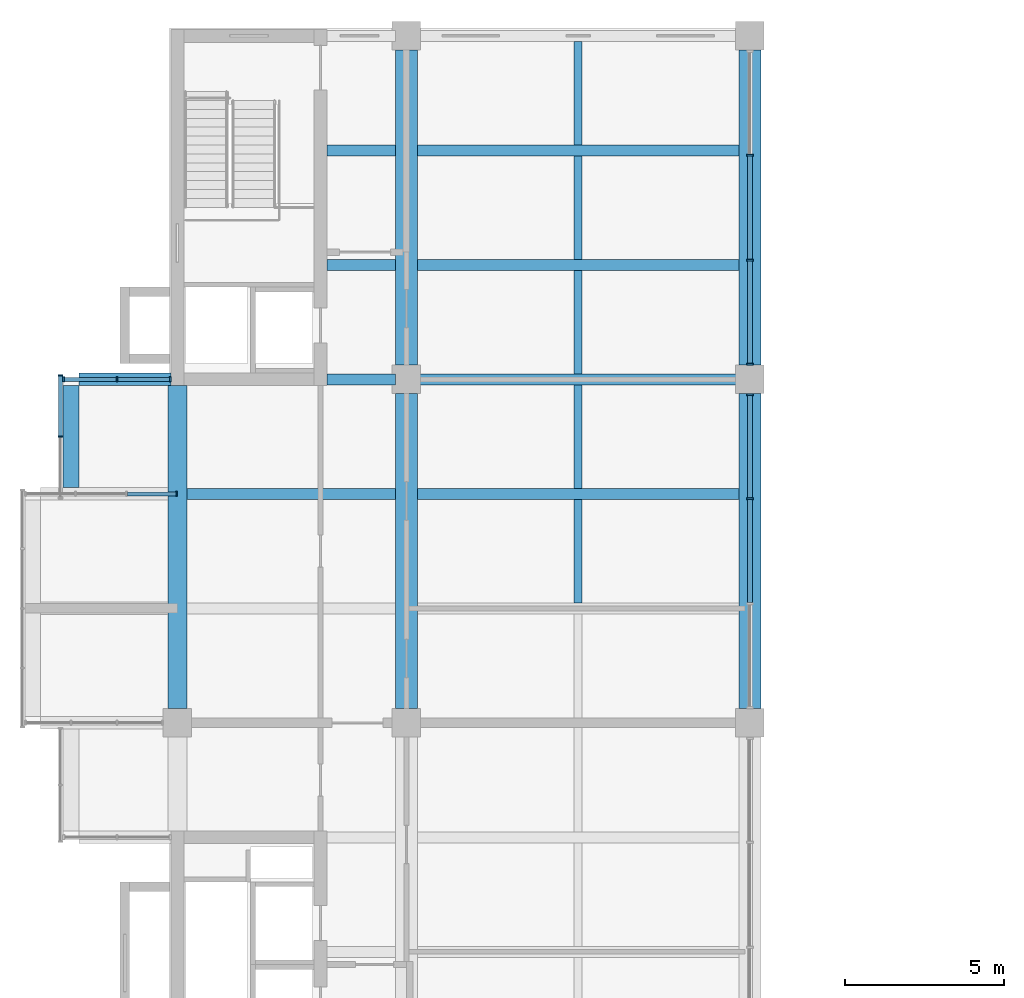
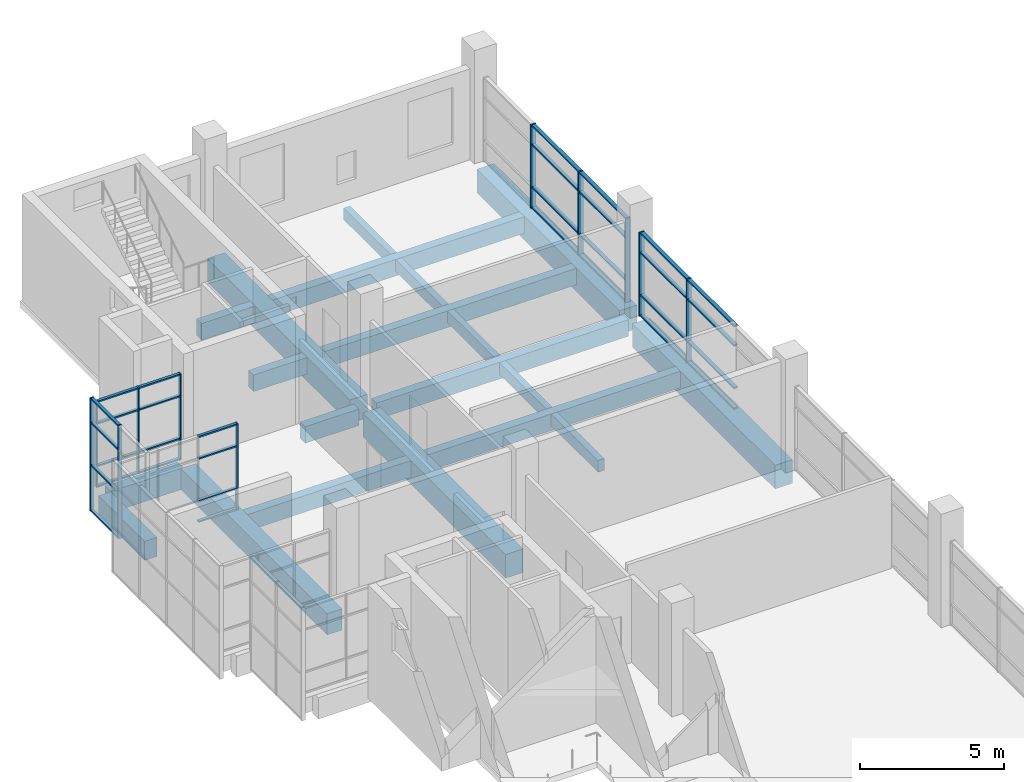
# One storey, part 8 of 22: 43 members, 20 beams, 5 elements without a shape of their own.
"""IFC4 building model written with IfcOpenShell, lengths in metres."""

from ifc_helpers import new_model, si_unit, direction, frame, origin, origin_2d, place, context, subcontext, project, spatial, rectangle, extrude, material, layer, layer_set, material_profile, profile_set, type_object, element, aggregate, save


model = new_model("IFC4")

# Units and contexts
model_context = context("Model", 3, precision=1e-05, world=origin(), true_north=direction((0.0, 1.0)))
body_context = subcontext(model_context, "Body", "Model", "MODEL_VIEW")
ifc_project = project(units=[si_unit("LENGTHUNIT", "METRE"), si_unit("AREAUNIT", "SQUARE_METRE"), si_unit("VOLUMEUNIT", "CUBIC_METRE"), si_unit("PLANEANGLEUNIT", "RADIAN"), si_unit("MASSUNIT", "GRAM", prefix="KILO")], contexts=[model_context])

# Site, building, storey
site_placement = place(None, origin())
site = spatial("IfcSite", under=ifc_project, at=site_placement, CompositionType="ELEMENT")
building_placement = place(site_placement, origin())
building = spatial("IfcBuilding", under=site, at=building_placement, Name="Basin Gate Institute", CompositionType="ELEMENT")
storey_placement = place(building_placement, frame((0.0, 0.0, 51.0)))
storey = spatial("IfcBuildingStorey", under=building, at=storey_placement, Name="L10", CompositionType="ELEMENT", Elevation=51.0)

# Beams
ifc_material_1 = material(Name="Concrete 40 MPa", Category="concrete")
ifc_material_profile_1 = material_profile(ifc_material_1, rectangle(XDim=0.35009765625, YDim=0.699951171875, at=origin_2d()), Name="Beam B1 350 x 700")
ifc_profile_set_1 = profile_set([ifc_material_profile_1], Name="Concrete 40 MPa")
beam_type_1 = type_object("IfcBeamType", Name="Beam B1 R120", PredefinedType="BEAM", material=ifc_profile_set_1)
beam_1_placement = place(storey_placement, frame((68.75, 85.5, -0.60009765625), z_axis=(1.0, 0.0, 0.0), x_axis=(0.0, 1.0, 0.0)))
element("IfcBeam", 1, at=beam_1_placement, inside=storey, type_object=beam_type_1, material=ifc_profile_set_1, Name="BEAM/L10/W/EW/15", PredefinedType="BEAM", context=body_context, shape_type="SweptSolid", body=[
    extrude(rectangle(XDim=0.35009765625, YDim=0.699951171875, at=origin_2d()), origin(), (0.0, 0.0, 1.0), 10.10009765625),
])
beam_2_placement = place(storey_placement, frame((61.5, 85.5, -0.60009765625), z_axis=(1.0, 0.0, 0.0), x_axis=(0.0, 1.0, 0.0)))
element("IfcBeam", 2, at=beam_2_placement, inside=storey, type_object=beam_type_1, material=ifc_profile_set_1, Name="BEAM/L10/W/OUT/15", PredefinedType="BEAM", context=body_context, shape_type="SweptSolid", body=[
    extrude(rectangle(XDim=0.35009765625, YDim=0.699951171875, at=origin_2d()), origin(), (0.0, 0.0, 1.0), 6.550048828125),
])
beam_3_placement = place(storey_placement, frame((68.75, 89.10009765625, -0.60009765625), z_axis=(1.0, 0.0, 0.0), x_axis=(0.0, 1.0, 0.0)))
element("IfcBeam", 3, at=beam_3_placement, inside=storey, type_object=beam_type_1, material=ifc_profile_set_1, Name="BEAM/L10/W/EW/16", PredefinedType="BEAM", context=body_context, shape_type="SweptSolid", body=[
    extrude(rectangle(XDim=0.35009765625, YDim=0.699951171875, at=origin_2d()), origin(), (0.0, 0.0, 1.0), 10.10009765625),
])
beam_4_placement = place(storey_placement, frame((65.89990234375, 89.10009765625, -0.60009765625), z_axis=(1.0, 0.0, 0.0), x_axis=(0.0, 1.0, 0.0)))
element("IfcBeam", 4, at=beam_4_placement, inside=storey, type_object=beam_type_1, material=ifc_profile_set_1, Name="BEAM/L10/W/CORR/16", PredefinedType="BEAM", context=body_context, shape_type="SweptSolid", body=[
    extrude(rectangle(XDim=0.35009765625, YDim=0.699951171875, at=origin_2d()), origin(), (0.0, 0.0, 1.0), 2.150146484375),
])
beam_5_placement = place(storey_placement, frame((68.75, 92.699951171875, -0.60009765625), z_axis=(1.0, 0.0, 0.0), x_axis=(0.0, 1.0, 0.0)))
element("IfcBeam", 5, at=beam_5_placement, inside=storey, type_object=beam_type_1, material=ifc_profile_set_1, Name="BEAM/L10/W/EW/17", PredefinedType="BEAM", context=body_context, shape_type="SweptSolid", body=[
    extrude(rectangle(XDim=0.35009765625, YDim=0.699951171875, at=origin_2d()), origin(), (0.0, 0.0, 1.0), 10.10009765625),
])
beam_6_placement = place(storey_placement, frame((65.89990234375, 92.699951171875, -0.60009765625), z_axis=(1.0, 0.0, 0.0), x_axis=(0.0, 1.0, 0.0)))
element("IfcBeam", 6, at=beam_6_placement, inside=storey, type_object=beam_type_1, material=ifc_profile_set_1, Name="BEAM/L10/W/CORR/17", PredefinedType="BEAM", context=body_context, shape_type="SweptSolid", body=[
    extrude(rectangle(XDim=0.35009765625, YDim=0.699951171875, at=origin_2d()), origin(), (0.0, 0.0, 1.0), 2.150146484375),
])
beam_7_placement = place(storey_placement, frame((68.75, 96.300048828125, -0.60009765625), z_axis=(1.0, 0.0, 0.0), x_axis=(0.0, 1.0, 0.0)))
element("IfcBeam", 7, at=beam_7_placement, inside=storey, type_object=beam_type_1, material=ifc_profile_set_1, Name="BEAM/L10/W/EW/18", PredefinedType="BEAM", context=body_context, shape_type="SweptSolid", body=[
    extrude(rectangle(XDim=0.35009765625, YDim=0.699951171875, at=origin_2d()), origin(), (0.0, 0.0, 1.0), 10.10009765625),
])
beam_8_placement = place(storey_placement, frame((65.89990234375, 96.300048828125, -0.60009765625), z_axis=(1.0, 0.0, 0.0), x_axis=(0.0, 1.0, 0.0)))
element("IfcBeam", 8, at=beam_8_placement, inside=storey, type_object=beam_type_1, material=ifc_profile_set_1, Name="BEAM/L10/W/CORR/18", PredefinedType="BEAM", context=body_context, shape_type="SweptSolid", body=[
    extrude(rectangle(XDim=0.35009765625, YDim=0.699951171875, at=origin_2d()), origin(), (0.0, 0.0, 1.0), 2.150146484375),
])
ifc_material_2 = material(Name="Concrete 50 MPa", Category="concrete")
ifc_material_profile_2 = material_profile(ifc_material_2, rectangle(XDim=0.39990234375, YDim=0.89990234375, at=origin_2d()), Name="Cantilever beam B3 400 x 900")
ifc_profile_set_2 = profile_set([ifc_material_profile_2], Name="Concrete 50 MPa")
beam_type_2 = type_object("IfcBeamType", Name="Cantilever beam B3 R120", PredefinedType="BEAM", material=ifc_profile_set_2)
beam_9_placement = place(storey_placement, frame((58.10009765625, 89.10009765625, -0.699951171875), z_axis=(1.0, 0.0, 0.0), x_axis=(0.0, 1.0, 0.0)))
element("IfcBeam", 9, at=beam_9_placement, inside=storey, type_object=beam_type_2, material=ifc_profile_set_2, Name="BEAM/L10/W/CANT/16", PredefinedType="BEAM", context=body_context, shape_type="SweptSolid", body=[
    extrude(rectangle(XDim=0.39990234375, YDim=0.89990234375, at=origin_2d()), origin(), (0.0, 0.0, 1.0), 2.89990234375),
])
ifc_material_3 = material(Name="Concrete 50 MPa", Category="concrete")
ifc_material_profile_3 = material_profile(ifc_material_3, rectangle(XDim=0.60009765625, YDim=0.89990234375, at=origin_2d()), Name="Edge beam EB1 600 x 900")
ifc_profile_set_3 = profile_set([ifc_material_profile_3], Name="Concrete 50 MPa")
beam_type_3 = type_object("IfcBeamType", Name="Edge beam EB1 R120", PredefinedType="SPANDREL", material=ifc_profile_set_3)
beam_10_placement = place(storey_placement, frame((61.199951171875, 78.75, -0.699951171875), z_axis=(0.0, 1.0, 0.0), x_axis=(-1.0, 0.0, 0.0)))
element("IfcBeam", 10, at=beam_10_placement, inside=storey, type_object=beam_type_3, material=ifc_profile_set_3, Name="BEAM/L10/W/EDGE/4", PredefinedType="SPANDREL", context=body_context, shape_type="SweptSolid", body=[
    extrude(rectangle(XDim=0.60009765625, YDim=0.89990234375, at=origin_2d()), origin(), (0.0, 0.0, 1.0), 10.14990234375),
])
ifc_material_4 = material(Name="Concrete 50 MPa", Category="concrete")
ifc_material_profile_4 = material_profile(ifc_material_4, rectangle(XDim=0.699951171875, YDim=1.0, at=origin_2d()), Name="Girder G1 700 x 1000")
ifc_profile_set_4 = profile_set([ifc_material_profile_4], Name="Concrete 50 MPa")
beam_type_4 = type_object("IfcBeamType", Name="Girder G1 R120", PredefinedType="BEAM", material=ifc_profile_set_4)
for number, where, z_axis, x_axis, name in (
    (11, (68.39990234375, 78.75, -0.75), (0.0, 1.0, 0.0), (-1.0, 0.0, 0.0), "GIR/L10/W5/5"),
    (12, (68.39990234375, 89.550048828125, -0.75), (0.0, 1.0, 0.0), (-1.0, 0.0, 0.0), "GIR/L10/W5/6"),
    (13, (79.199951171875, 78.75, -0.75), (0.0, 1.0, 0.0), (-1.0, 0.0, 0.0), "GIR/L10/W6/5"),
    (14, (79.199951171875, 89.550048828125, -0.75), (0.0, 1.0, 0.0), (-1.0, 0.0, 0.0), "GIR/L10/W6/6"),
):
    element("IfcBeam", number, at=place(storey_placement, frame(where, z_axis=z_axis, x_axis=x_axis)), inside=storey, type_object=beam_type_4, material=ifc_profile_set_4, Name=name, PredefinedType="BEAM", context=body_context, shape_type="SweptSolid", body=[
        extrude(rectangle(XDim=0.699951171875, YDim=1.0, at=origin_2d()), origin(), (0.0, 0.0, 1.0), 9.89990234375),
    ])

# Curtain wall, member
ifc_material_5 = material(Name="Aluminium-framed glazing", Category="aluminium")
ifc_layer_1 = layer(ifc_material_5, 0.14990234375)
ifc_layer_set_1 = layer_set([ifc_layer_1], Name="Capsule front curtain wall CW1")
curtain_wall_type_1 = type_object("IfcCurtainWallType", Name="Capsule front curtain wall CW1", PredefinedType="NOTDEFINED", material=ifc_layer_set_1)
curtain_wall_1_placement = place(storey_placement, origin())
curtain_wall_1 = element("IfcCurtainWall", 15, at=curtain_wall_1_placement, inside=storey, type_object=curtain_wall_type_1, material=ifc_layer_set_1, Name="Capsule front curtain wall W wing capsule end L10 line 15", PredefinedType="NOTDEFINED")
ifc_material_6 = material(Name="Aluminium", Category="aluminium")
ifc_material_profile_5 = material_profile(ifc_material_6, rectangle(XDim=0.14990234375, YDim=0.050048828125, at=origin_2d()), Name="Mullion MU1 150 x 50")
ifc_profile_set_5 = profile_set([ifc_material_profile_5], Name="Aluminium")
member_type_1 = type_object("IfcMemberType", Name="Mullion MU1", PredefinedType="MULLION", material=ifc_profile_set_5)
member_1_placement = place(storey_placement, frame((61.175048828125, 85.5, 0.0), z_axis=(0.0, 0.0, 1.0), x_axis=(0.0, 1.0, 0.0)))
member_1 = element("IfcMember", 16, at=member_1_placement, type_object=member_type_1, material=ifc_profile_set_5, Name="CW1 mullion 4", PredefinedType="MULLION", context=body_context, shape_type="SweptSolid", body=[
    extrude(rectangle(XDim=0.14990234375, YDim=0.050048828125, at=origin_2d()), origin(), (0.0, 0.0, 1.0), 3.64990234375),
])

# Curtain wall, members
curtain_wall_2_placement = place(storey_placement, origin())
curtain_wall_2 = element("IfcCurtainWall", 17, at=curtain_wall_2_placement, inside=storey, type_object=curtain_wall_type_1, material=ifc_layer_set_1, Name="Capsule front curtain wall W wing capsule end L10 line 16", PredefinedType="NOTDEFINED")
member_2_placement = place(storey_placement, frame((57.625, 89.10009765625, 0.0), z_axis=(0.0, 0.0, 1.0), x_axis=(0.0, 1.0, 0.0)))
member_2 = element("IfcMember", 18, at=member_2_placement, type_object=member_type_1, material=ifc_profile_set_5, Name="CW1 mullion 1", PredefinedType="MULLION", context=body_context, shape_type="SweptSolid", body=[
    extrude(rectangle(XDim=0.14990234375, YDim=0.050048828125, at=origin_2d()), origin(), (0.0, 0.0, 1.0), 3.64990234375),
])
member_3_placement = place(storey_placement, frame((59.300048828125, 89.10009765625, 0.0), z_axis=(0.0, 0.0, 1.0), x_axis=(0.0, 1.0, 0.0)))
member_3 = element("IfcMember", 19, at=member_3_placement, type_object=member_type_1, material=ifc_profile_set_5, Name="CW1 mullion 2", PredefinedType="MULLION", context=body_context, shape_type="SweptSolid", body=[
    extrude(rectangle(XDim=0.14990234375, YDim=0.050048828125, at=origin_2d()), origin(), (0.0, 0.0, 1.0), 3.64990234375),
])
member_4_placement = place(storey_placement, frame((60.97509765625, 89.10009765625, 0.0), z_axis=(0.0, 0.0, 1.0), x_axis=(0.0, 1.0, 0.0)))
member_4 = element("IfcMember", 20, at=member_4_placement, type_object=member_type_1, material=ifc_profile_set_5, Name="CW1 mullion 3", PredefinedType="MULLION", context=body_context, shape_type="SweptSolid", body=[
    extrude(rectangle(XDim=0.14990234375, YDim=0.050048828125, at=origin_2d()), origin(), (0.0, 0.0, 1.0), 3.64990234375),
])

curtain_wall_3_placement = place(storey_placement, origin())
curtain_wall_3 = element("IfcCurtainWall", 21, at=curtain_wall_3_placement, inside=storey, type_object=curtain_wall_type_1, material=ifc_layer_set_1, Name="Capsule front curtain wall W wing capsule 2 L10 front 4", PredefinedType="NOTDEFINED")
member_5_placement = place(storey_placement, frame((57.52490234375, 87.300048828125, -1.050048828125), z_axis=(0.0, 0.0, 1.0), x_axis=(-1.0, 0.0, 0.0)))
member_5 = element("IfcMember", 22, at=member_5_placement, type_object=member_type_1, material=ifc_profile_set_5, Name="CW1 mullion 2", PredefinedType="MULLION", context=body_context, shape_type="SweptSolid", body=[
    extrude(rectangle(XDim=0.14990234375, YDim=0.050048828125, at=origin_2d()), origin(), (0.0, 0.0, 1.0), 4.800048828125),
])
member_6_placement = place(storey_placement, frame((57.52490234375, 89.22509765625, -1.050048828125), z_axis=(0.0, 0.0, 1.0), x_axis=(-1.0, 0.0, 0.0)))
member_6 = element("IfcMember", 23, at=member_6_placement, type_object=member_type_1, material=ifc_profile_set_5, Name="CW1 mullion 3", PredefinedType="MULLION", context=body_context, shape_type="SweptSolid", body=[
    extrude(rectangle(XDim=0.14990234375, YDim=0.050048828125, at=origin_2d()), origin(), (0.0, 0.0, 1.0), 4.800048828125),
])

ifc_material_7 = material(Name="Aluminium-framed glazing", Category="aluminium")
ifc_layer_2 = layer(ifc_material_7, 0.199951171875)
ifc_layer_set_2 = layer_set([ifc_layer_2], Name="Atrium curtain wall CW2")
curtain_wall_type_2 = type_object("IfcCurtainWallType", Name="Atrium curtain wall CW2", PredefinedType="NOTDEFINED", material=ifc_layer_set_2)
curtain_wall_4_placement = place(storey_placement, origin())
curtain_wall_4 = element("IfcCurtainWall", 24, at=curtain_wall_4_placement, inside=storey, type_object=curtain_wall_type_2, material=ifc_layer_set_2, Name="Atrium curtain wall W wing atrium bay 5 L10", PredefinedType="NOTDEFINED")
ifc_material_8 = material(Name="Aluminium", Category="aluminium")
ifc_material_profile_6 = material_profile(ifc_material_8, rectangle(XDim=0.199951171875, YDim=0.06005859375, at=origin_2d()), Name="Mullion MU2 200 x 60")
ifc_profile_set_6 = profile_set([ifc_material_profile_6], Name="Aluminium")
member_type_2 = type_object("IfcMemberType", Name="Mullion MU2", PredefinedType="MULLION", material=ifc_profile_set_6)
member_7_placement = place(storey_placement, frame((79.199951171875, 85.35009765625, 0.0), z_axis=(0.0, 0.0, 1.0), x_axis=(-1.0, 0.0, 0.0)))
member_7 = element("IfcMember", 25, at=member_7_placement, type_object=member_type_2, material=ifc_profile_set_6, Name="CW2 mullion 3", PredefinedType="MULLION", context=body_context, shape_type="SweptSolid", body=[
    extrude(rectangle(XDim=0.199951171875, YDim=0.06005859375, at=origin_2d()), origin(), (0.0, 0.0, 1.0), 3.550048828125),
])
member_8_placement = place(storey_placement, frame((79.199951171875, 88.6201171875, 0.0), z_axis=(0.0, 0.0, 1.0), x_axis=(-1.0, 0.0, 0.0)))
member_8 = element("IfcMember", 26, at=member_8_placement, type_object=member_type_2, material=ifc_profile_set_6, Name="CW2 mullion 4", PredefinedType="MULLION", context=body_context, shape_type="SweptSolid", body=[
    extrude(rectangle(XDim=0.199951171875, YDim=0.06005859375, at=origin_2d()), origin(), (0.0, 0.0, 1.0), 3.550048828125),
])

curtain_wall_5_placement = place(storey_placement, origin())
curtain_wall_5 = element("IfcCurtainWall", 27, at=curtain_wall_5_placement, inside=storey, type_object=curtain_wall_type_2, material=ifc_layer_set_2, Name="Atrium curtain wall W wing atrium bay 6 L10", PredefinedType="NOTDEFINED")
member_9_placement = place(storey_placement, frame((79.199951171875, 89.580078125, 0.0), z_axis=(0.0, 0.0, 1.0), x_axis=(-1.0, 0.0, 0.0)))
member_9 = element("IfcMember", 28, at=member_9_placement, type_object=member_type_2, material=ifc_profile_set_6, Name="CW2 mullion 1", PredefinedType="MULLION", context=body_context, shape_type="SweptSolid", body=[
    extrude(rectangle(XDim=0.199951171875, YDim=0.06005859375, at=origin_2d()), origin(), (0.0, 0.0, 1.0), 3.550048828125),
])
member_10_placement = place(storey_placement, frame((79.199951171875, 92.85009765625, 0.0), z_axis=(0.0, 0.0, 1.0), x_axis=(-1.0, 0.0, 0.0)))
member_10 = element("IfcMember", 29, at=member_10_placement, type_object=member_type_2, material=ifc_profile_set_6, Name="CW2 mullion 2", PredefinedType="MULLION", context=body_context, shape_type="SweptSolid", body=[
    extrude(rectangle(XDim=0.199951171875, YDim=0.06005859375, at=origin_2d()), origin(), (0.0, 0.0, 1.0), 3.550048828125),
])
member_11_placement = place(storey_placement, frame((79.199951171875, 96.14990234375, 0.0), z_axis=(0.0, 0.0, 1.0), x_axis=(-1.0, 0.0, 0.0)))
member_11 = element("IfcMember", 30, at=member_11_placement, type_object=member_type_2, material=ifc_profile_set_6, Name="CW2 mullion 3", PredefinedType="MULLION", context=body_context, shape_type="SweptSolid", body=[
    extrude(rectangle(XDim=0.199951171875, YDim=0.06005859375, at=origin_2d()), origin(), (0.0, 0.0, 1.0), 3.550048828125),
])

# Beams
ifc_material_9 = material(Name="Concrete 40 MPa", Category="concrete")
ifc_material_profile_7 = material_profile(ifc_material_9, rectangle(XDim=0.25, YDim=0.5, at=origin_2d()), Name="Rib R1 250 x 500")
ifc_profile_set_7 = profile_set([ifc_material_profile_7], Name="Concrete 40 MPa")
beam_type_5 = type_object("IfcBeamType", Name="Rib R1 R120", PredefinedType="JOIST", material=ifc_profile_set_7)
for number, where, z_axis, x_axis, name in (
    (31, (73.800048828125, 82.074951171875, -0.5), (0.0, 1.0, 0.0), (-1.0, 0.0, 0.0), "BEAM/L10/W/RIB/14"),
    (32, (73.800048828125, 85.675048828125, -0.5), (0.0, 1.0, 0.0), (-1.0, 0.0, 0.0), "BEAM/L10/W/RIB/15"),
    (33, (73.800048828125, 89.27490234375, -0.5), (0.0, 1.0, 0.0), (-1.0, 0.0, 0.0), "BEAM/L10/W/RIB/16"),
    (34, (73.800048828125, 92.875, -0.5), (0.0, 1.0, 0.0), (-1.0, 0.0, 0.0), "BEAM/L10/W/RIB/17"),
    (35, (73.800048828125, 96.47509765625, -0.5), (0.0, 1.0, 0.0), (-1.0, 0.0, 0.0), "BEAM/L10/W/RIB/18"),
):
    element("IfcBeam", number, at=place(storey_placement, frame(where, z_axis=z_axis, x_axis=x_axis)), inside=storey, type_object=beam_type_5, material=ifc_profile_set_7, Name=name, PredefinedType="JOIST", context=body_context, shape_type="SweptSolid", body=[
        extrude(rectangle(XDim=0.25, YDim=0.5, at=origin_2d()), origin(), (0.0, 0.0, 1.0), 3.25),
    ])
ifc_material_10 = material(Name="Concrete 50 MPa", Category="concrete")
ifc_material_profile_8 = material_profile(ifc_material_10, rectangle(XDim=0.5, YDim=0.800048828125, at=origin_2d()), Name="Tip beam TB1 500 x 800")
ifc_profile_set_8 = profile_set([ifc_material_profile_8], Name="Concrete 50 MPa")
beam_type_6 = type_object("IfcBeamType", Name="Tip beam TB1 R120", PredefinedType="SPANDREL", material=ifc_profile_set_8)
beam_11_placement = place(storey_placement, frame((57.85009765625, 85.699951171875, -0.64990234375), z_axis=(0.0, 1.0, 0.0), x_axis=(-1.0, 0.0, 0.0)))
element("IfcBeam", 36, at=beam_11_placement, inside=storey, type_object=beam_type_6, material=ifc_profile_set_8, Name="BEAM/L10/W/TIP/8", PredefinedType="SPANDREL", context=body_context, shape_type="SweptSolid", body=[
    extrude(rectangle(XDim=0.5, YDim=0.800048828125, at=origin_2d()), origin(), (0.0, 0.0, 1.0), 3.199951171875),
])

# Member
ifc_material_11 = material(Name="Aluminium", Category="aluminium")
ifc_material_profile_9 = material_profile(ifc_material_11, rectangle(XDim=0.1201171875, YDim=0.06005859375, at=origin_2d()), Name="Transom TR1 120 x 60")
ifc_profile_set_9 = profile_set([ifc_material_profile_9], Name="Aluminium")
member_type_3 = type_object("IfcMemberType", Name="Transom TR1", PredefinedType="USERDEFINED", material=ifc_profile_set_9)
member_12_placement = place(storey_placement, frame((59.625, 85.5, 0.030029296875), z_axis=(1.0, 0.0, 0.0), x_axis=(0.0, 1.0, 0.0)))
member_12 = element("IfcMember", 37, at=member_12_placement, type_object=member_type_3, material=ifc_profile_set_9, Name="CW1 transom 3.1", ObjectType="TRANSOM", PredefinedType="USERDEFINED", context=body_context, shape_type="SweptSolid", body=[
    extrude(rectangle(XDim=0.1201171875, YDim=0.06005859375, at=origin_2d()), origin(), (0.0, 0.0, 1.0), 1.52490234375),
])

member_13_placement = place(storey_placement, frame((59.625, 85.5, 0.89990234375), z_axis=(1.0, 0.0, 0.0), x_axis=(0.0, 1.0, 0.0)))
member_13 = element("IfcMember", 38, at=member_13_placement, type_object=member_type_3, material=ifc_profile_set_9, Name="CW1 transom 3.2", ObjectType="TRANSOM", PredefinedType="USERDEFINED", context=body_context, shape_type="SweptSolid", body=[
    extrude(rectangle(XDim=0.1201171875, YDim=0.06005859375, at=origin_2d()), origin(), (0.0, 0.0, 1.0), 1.52490234375),
])

member_14_placement = place(storey_placement, frame((59.625, 85.5, 2.699951171875), z_axis=(1.0, 0.0, 0.0), x_axis=(0.0, 1.0, 0.0)))
member_14 = element("IfcMember", 39, at=member_14_placement, type_object=member_type_3, material=ifc_profile_set_9, Name="CW1 transom 3.3", ObjectType="TRANSOM", PredefinedType="USERDEFINED", context=body_context, shape_type="SweptSolid", body=[
    extrude(rectangle(XDim=0.1201171875, YDim=0.06005859375, at=origin_2d()), origin(), (0.0, 0.0, 1.0), 1.52490234375),
])

member_15_placement = place(storey_placement, frame((59.625, 85.5, 3.6201171875), z_axis=(1.0, 0.0, 0.0), x_axis=(0.0, 1.0, 0.0)))
member_15 = element("IfcMember", 40, at=member_15_placement, type_object=member_type_3, material=ifc_profile_set_9, Name="CW1 transom 3.4", ObjectType="TRANSOM", PredefinedType="USERDEFINED", context=body_context, shape_type="SweptSolid", body=[
    extrude(rectangle(XDim=0.1201171875, YDim=0.06005859375, at=origin_2d()), origin(), (0.0, 0.0, 1.0), 1.52490234375),
])

aggregate(curtain_wall_1, [member_1, member_12, member_13, member_14, member_15])

member_16_placement = place(storey_placement, frame((57.64990234375, 89.10009765625, 0.030029296875), z_axis=(1.0, 0.0, 0.0), x_axis=(0.0, 1.0, 0.0)))
member_16 = element("IfcMember", 41, at=member_16_placement, type_object=member_type_3, material=ifc_profile_set_9, Name="CW1 transom 1.1", ObjectType="TRANSOM", PredefinedType="USERDEFINED", context=body_context, shape_type="SweptSolid", body=[
    extrude(rectangle(XDim=0.1201171875, YDim=0.06005859375, at=origin_2d()), origin(), (0.0, 0.0, 1.0), 1.625),
])

member_17_placement = place(storey_placement, frame((57.64990234375, 89.10009765625, 0.89990234375), z_axis=(1.0, 0.0, 0.0), x_axis=(0.0, 1.0, 0.0)))
member_17 = element("IfcMember", 42, at=member_17_placement, type_object=member_type_3, material=ifc_profile_set_9, Name="CW1 transom 1.2", ObjectType="TRANSOM", PredefinedType="USERDEFINED", context=body_context, shape_type="SweptSolid", body=[
    extrude(rectangle(XDim=0.1201171875, YDim=0.06005859375, at=origin_2d()), origin(), (0.0, 0.0, 1.0), 1.625),
])

member_18_placement = place(storey_placement, frame((57.64990234375, 89.10009765625, 2.699951171875), z_axis=(1.0, 0.0, 0.0), x_axis=(0.0, 1.0, 0.0)))
member_18 = element("IfcMember", 43, at=member_18_placement, type_object=member_type_3, material=ifc_profile_set_9, Name="CW1 transom 1.3", ObjectType="TRANSOM", PredefinedType="USERDEFINED", context=body_context, shape_type="SweptSolid", body=[
    extrude(rectangle(XDim=0.1201171875, YDim=0.06005859375, at=origin_2d()), origin(), (0.0, 0.0, 1.0), 1.625),
])

member_19_placement = place(storey_placement, frame((57.64990234375, 89.10009765625, 3.6201171875), z_axis=(1.0, 0.0, 0.0), x_axis=(0.0, 1.0, 0.0)))
member_19 = element("IfcMember", 44, at=member_19_placement, type_object=member_type_3, material=ifc_profile_set_9, Name="CW1 transom 1.4", ObjectType="TRANSOM", PredefinedType="USERDEFINED", context=body_context, shape_type="SweptSolid", body=[
    extrude(rectangle(XDim=0.1201171875, YDim=0.06005859375, at=origin_2d()), origin(), (0.0, 0.0, 1.0), 1.625),
])

member_20_placement = place(storey_placement, frame((59.324951171875, 89.10009765625, 0.030029296875), z_axis=(1.0, 0.0, 0.0), x_axis=(0.0, 1.0, 0.0)))
member_20 = element("IfcMember", 45, at=member_20_placement, type_object=member_type_3, material=ifc_profile_set_9, Name="CW1 transom 2.1", ObjectType="TRANSOM", PredefinedType="USERDEFINED", context=body_context, shape_type="SweptSolid", body=[
    extrude(rectangle(XDim=0.1201171875, YDim=0.06005859375, at=origin_2d()), origin(), (0.0, 0.0, 1.0), 1.625),
])

member_21_placement = place(storey_placement, frame((59.324951171875, 89.10009765625, 0.89990234375), z_axis=(1.0, 0.0, 0.0), x_axis=(0.0, 1.0, 0.0)))
member_21 = element("IfcMember", 46, at=member_21_placement, type_object=member_type_3, material=ifc_profile_set_9, Name="CW1 transom 2.2", ObjectType="TRANSOM", PredefinedType="USERDEFINED", context=body_context, shape_type="SweptSolid", body=[
    extrude(rectangle(XDim=0.1201171875, YDim=0.06005859375, at=origin_2d()), origin(), (0.0, 0.0, 1.0), 1.625),
])

member_22_placement = place(storey_placement, frame((59.324951171875, 89.10009765625, 2.699951171875), z_axis=(1.0, 0.0, 0.0), x_axis=(0.0, 1.0, 0.0)))
member_22 = element("IfcMember", 47, at=member_22_placement, type_object=member_type_3, material=ifc_profile_set_9, Name="CW1 transom 2.3", ObjectType="TRANSOM", PredefinedType="USERDEFINED", context=body_context, shape_type="SweptSolid", body=[
    extrude(rectangle(XDim=0.1201171875, YDim=0.06005859375, at=origin_2d()), origin(), (0.0, 0.0, 1.0), 1.625),
])

member_23_placement = place(storey_placement, frame((59.324951171875, 89.10009765625, 3.6201171875), z_axis=(1.0, 0.0, 0.0), x_axis=(0.0, 1.0, 0.0)))
member_23 = element("IfcMember", 48, at=member_23_placement, type_object=member_type_3, material=ifc_profile_set_9, Name="CW1 transom 2.4", ObjectType="TRANSOM", PredefinedType="USERDEFINED", context=body_context, shape_type="SweptSolid", body=[
    extrude(rectangle(XDim=0.1201171875, YDim=0.06005859375, at=origin_2d()), origin(), (0.0, 0.0, 1.0), 1.625),
])

aggregate(curtain_wall_2, [member_2, member_3, member_4, member_16, member_17, member_18, member_19, member_20, member_21, member_22, member_23])

member_24_placement = place(storey_placement, frame((57.52490234375, 87.324951171875, -1.02001953125), z_axis=(0.0, 1.0, 0.0), x_axis=(-1.0, 0.0, 0.0)))
member_24 = element("IfcMember", 49, at=member_24_placement, type_object=member_type_3, material=ifc_profile_set_9, Name="CW1 transom 2.1", ObjectType="TRANSOM", PredefinedType="USERDEFINED", context=body_context, shape_type="SweptSolid", body=[
    extrude(rectangle(XDim=0.1201171875, YDim=0.06005859375, at=origin_2d()), origin(), (0.0, 0.0, 1.0), 1.875),
])

member_25_placement = place(storey_placement, frame((57.52490234375, 87.324951171875, 0.89990234375), z_axis=(0.0, 1.0, 0.0), x_axis=(-1.0, 0.0, 0.0)))
member_25 = element("IfcMember", 50, at=member_25_placement, type_object=member_type_3, material=ifc_profile_set_9, Name="CW1 transom 2.2", ObjectType="TRANSOM", PredefinedType="USERDEFINED", context=body_context, shape_type="SweptSolid", body=[
    extrude(rectangle(XDim=0.1201171875, YDim=0.06005859375, at=origin_2d()), origin(), (0.0, 0.0, 1.0), 1.875),
])

member_26_placement = place(storey_placement, frame((57.52490234375, 87.324951171875, 2.699951171875), z_axis=(0.0, 1.0, 0.0), x_axis=(-1.0, 0.0, 0.0)))
member_26 = element("IfcMember", 51, at=member_26_placement, type_object=member_type_3, material=ifc_profile_set_9, Name="CW1 transom 2.3", ObjectType="TRANSOM", PredefinedType="USERDEFINED", context=body_context, shape_type="SweptSolid", body=[
    extrude(rectangle(XDim=0.1201171875, YDim=0.06005859375, at=origin_2d()), origin(), (0.0, 0.0, 1.0), 1.875),
])

member_27_placement = place(storey_placement, frame((57.52490234375, 87.324951171875, 3.719970703125), z_axis=(0.0, 1.0, 0.0), x_axis=(-1.0, 0.0, 0.0)))
member_27 = element("IfcMember", 52, at=member_27_placement, type_object=member_type_3, material=ifc_profile_set_9, Name="CW1 transom 2.4", ObjectType="TRANSOM", PredefinedType="USERDEFINED", context=body_context, shape_type="SweptSolid", body=[
    extrude(rectangle(XDim=0.1201171875, YDim=0.06005859375, at=origin_2d()), origin(), (0.0, 0.0, 1.0), 1.875),
])

aggregate(curtain_wall_3, [member_5, member_6, member_24, member_25, member_26, member_27])

ifc_material_12 = material(Name="Aluminium", Category="aluminium")
ifc_material_profile_10 = material_profile(ifc_material_12, rectangle(XDim=0.14990234375, YDim=0.06005859375, at=origin_2d()), Name="Transom TR2 150 x 60")
ifc_profile_set_10 = profile_set([ifc_material_profile_10], Name="Aluminium")
member_type_4 = type_object("IfcMemberType", Name="Transom TR2", PredefinedType="USERDEFINED", material=ifc_profile_set_10)
member_28_placement = place(storey_placement, frame((79.199951171875, 82.080078125, 0.030029296875), z_axis=(0.0, 1.0, 0.0), x_axis=(-1.0, 0.0, 0.0)))
member_28 = element("IfcMember", 53, at=member_28_placement, type_object=member_type_4, material=ifc_profile_set_10, Name="CW2 transom 2.1", ObjectType="TRANSOM", PredefinedType="USERDEFINED", context=body_context, shape_type="SweptSolid", body=[
    extrude(rectangle(XDim=0.14990234375, YDim=0.06005859375, at=origin_2d()), origin(), (0.0, 0.0, 1.0), 3.239990234375),
])

member_29_placement = place(storey_placement, frame((79.199951171875, 82.080078125, 0.89990234375), z_axis=(0.0, 1.0, 0.0), x_axis=(-1.0, 0.0, 0.0)))
member_29 = element("IfcMember", 54, at=member_29_placement, type_object=member_type_4, material=ifc_profile_set_10, Name="CW2 transom 2.2", ObjectType="TRANSOM", PredefinedType="USERDEFINED", context=body_context, shape_type="SweptSolid", body=[
    extrude(rectangle(XDim=0.14990234375, YDim=0.06005859375, at=origin_2d()), origin(), (0.0, 0.0, 1.0), 3.239990234375),
])

member_30_placement = place(storey_placement, frame((79.199951171875, 82.080078125, 2.699951171875), z_axis=(0.0, 1.0, 0.0), x_axis=(-1.0, 0.0, 0.0)))
member_30 = element("IfcMember", 55, at=member_30_placement, type_object=member_type_4, material=ifc_profile_set_10, Name="CW2 transom 2.3", ObjectType="TRANSOM", PredefinedType="USERDEFINED", context=body_context, shape_type="SweptSolid", body=[
    extrude(rectangle(XDim=0.14990234375, YDim=0.06005859375, at=origin_2d()), origin(), (0.0, 0.0, 1.0), 3.239990234375),
])

member_31_placement = place(storey_placement, frame((79.199951171875, 82.080078125, 3.52001953125), z_axis=(0.0, 1.0, 0.0), x_axis=(-1.0, 0.0, 0.0)))
member_31 = element("IfcMember", 56, at=member_31_placement, type_object=member_type_4, material=ifc_profile_set_10, Name="CW2 transom 2.4", ObjectType="TRANSOM", PredefinedType="USERDEFINED", context=body_context, shape_type="SweptSolid", body=[
    extrude(rectangle(XDim=0.14990234375, YDim=0.06005859375, at=origin_2d()), origin(), (0.0, 0.0, 1.0), 3.239990234375),
])

member_32_placement = place(storey_placement, frame((79.199951171875, 85.3798828125, 0.030029296875), z_axis=(0.0, 1.0, 0.0), x_axis=(-1.0, 0.0, 0.0)))
member_32 = element("IfcMember", 57, at=member_32_placement, type_object=member_type_4, material=ifc_profile_set_10, Name="CW2 transom 3.1", ObjectType="TRANSOM", PredefinedType="USERDEFINED", context=body_context, shape_type="SweptSolid", body=[
    extrude(rectangle(XDim=0.14990234375, YDim=0.06005859375, at=origin_2d()), origin(), (0.0, 0.0, 1.0), 3.210205078125),
])

member_33_placement = place(storey_placement, frame((79.199951171875, 85.3798828125, 0.89990234375), z_axis=(0.0, 1.0, 0.0), x_axis=(-1.0, 0.0, 0.0)))
member_33 = element("IfcMember", 58, at=member_33_placement, type_object=member_type_4, material=ifc_profile_set_10, Name="CW2 transom 3.2", ObjectType="TRANSOM", PredefinedType="USERDEFINED", context=body_context, shape_type="SweptSolid", body=[
    extrude(rectangle(XDim=0.14990234375, YDim=0.06005859375, at=origin_2d()), origin(), (0.0, 0.0, 1.0), 3.210205078125),
])

member_34_placement = place(storey_placement, frame((79.199951171875, 85.3798828125, 2.699951171875), z_axis=(0.0, 1.0, 0.0), x_axis=(-1.0, 0.0, 0.0)))
member_34 = element("IfcMember", 59, at=member_34_placement, type_object=member_type_4, material=ifc_profile_set_10, Name="CW2 transom 3.3", ObjectType="TRANSOM", PredefinedType="USERDEFINED", context=body_context, shape_type="SweptSolid", body=[
    extrude(rectangle(XDim=0.14990234375, YDim=0.06005859375, at=origin_2d()), origin(), (0.0, 0.0, 1.0), 3.210205078125),
])

member_35_placement = place(storey_placement, frame((79.199951171875, 85.3798828125, 3.52001953125), z_axis=(0.0, 1.0, 0.0), x_axis=(-1.0, 0.0, 0.0)))
member_35 = element("IfcMember", 60, at=member_35_placement, type_object=member_type_4, material=ifc_profile_set_10, Name="CW2 transom 3.4", ObjectType="TRANSOM", PredefinedType="USERDEFINED", context=body_context, shape_type="SweptSolid", body=[
    extrude(rectangle(XDim=0.14990234375, YDim=0.06005859375, at=origin_2d()), origin(), (0.0, 0.0, 1.0), 3.210205078125),
])

aggregate(curtain_wall_4, [member_7, member_8, member_28, member_29, member_30, member_31, member_32, member_33, member_34, member_35])

member_36_placement = place(storey_placement, frame((79.199951171875, 89.610107421875, 0.030029296875), z_axis=(0.0, 1.0, 0.0), x_axis=(-1.0, 0.0, 0.0)))
member_36 = element("IfcMember", 61, at=member_36_placement, type_object=member_type_4, material=ifc_profile_set_10, Name="CW2 transom 1.1", ObjectType="TRANSOM", PredefinedType="USERDEFINED", context=body_context, shape_type="SweptSolid", body=[
    extrude(rectangle(XDim=0.14990234375, YDim=0.06005859375, at=origin_2d()), origin(), (0.0, 0.0, 1.0), 3.2099609375),
])

member_37_placement = place(storey_placement, frame((79.199951171875, 89.610107421875, 0.89990234375), z_axis=(0.0, 1.0, 0.0), x_axis=(-1.0, 0.0, 0.0)))
member_37 = element("IfcMember", 62, at=member_37_placement, type_object=member_type_4, material=ifc_profile_set_10, Name="CW2 transom 1.2", ObjectType="TRANSOM", PredefinedType="USERDEFINED", context=body_context, shape_type="SweptSolid", body=[
    extrude(rectangle(XDim=0.14990234375, YDim=0.06005859375, at=origin_2d()), origin(), (0.0, 0.0, 1.0), 3.2099609375),
])

member_38_placement = place(storey_placement, frame((79.199951171875, 89.610107421875, 2.699951171875), z_axis=(0.0, 1.0, 0.0), x_axis=(-1.0, 0.0, 0.0)))
member_38 = element("IfcMember", 63, at=member_38_placement, type_object=member_type_4, material=ifc_profile_set_10, Name="CW2 transom 1.3", ObjectType="TRANSOM", PredefinedType="USERDEFINED", context=body_context, shape_type="SweptSolid", body=[
    extrude(rectangle(XDim=0.14990234375, YDim=0.06005859375, at=origin_2d()), origin(), (0.0, 0.0, 1.0), 3.2099609375),
])

member_39_placement = place(storey_placement, frame((79.199951171875, 89.610107421875, 3.52001953125), z_axis=(0.0, 1.0, 0.0), x_axis=(-1.0, 0.0, 0.0)))
member_39 = element("IfcMember", 64, at=member_39_placement, type_object=member_type_4, material=ifc_profile_set_10, Name="CW2 transom 1.4", ObjectType="TRANSOM", PredefinedType="USERDEFINED", context=body_context, shape_type="SweptSolid", body=[
    extrude(rectangle(XDim=0.14990234375, YDim=0.06005859375, at=origin_2d()), origin(), (0.0, 0.0, 1.0), 3.2099609375),
])

member_40_placement = place(storey_placement, frame((79.199951171875, 92.8798828125, 0.030029296875), z_axis=(0.0, 1.0, 0.0), x_axis=(-1.0, 0.0, 0.0)))
member_40 = element("IfcMember", 65, at=member_40_placement, type_object=member_type_4, material=ifc_profile_set_10, Name="CW2 transom 2.1", ObjectType="TRANSOM", PredefinedType="USERDEFINED", context=body_context, shape_type="SweptSolid", body=[
    extrude(rectangle(XDim=0.14990234375, YDim=0.06005859375, at=origin_2d()), origin(), (0.0, 0.0, 1.0), 3.240234375),
])

member_41_placement = place(storey_placement, frame((79.199951171875, 92.8798828125, 0.89990234375), z_axis=(0.0, 1.0, 0.0), x_axis=(-1.0, 0.0, 0.0)))
member_41 = element("IfcMember", 66, at=member_41_placement, type_object=member_type_4, material=ifc_profile_set_10, Name="CW2 transom 2.2", ObjectType="TRANSOM", PredefinedType="USERDEFINED", context=body_context, shape_type="SweptSolid", body=[
    extrude(rectangle(XDim=0.14990234375, YDim=0.06005859375, at=origin_2d()), origin(), (0.0, 0.0, 1.0), 3.240234375),
])

member_42_placement = place(storey_placement, frame((79.199951171875, 92.8798828125, 2.699951171875), z_axis=(0.0, 1.0, 0.0), x_axis=(-1.0, 0.0, 0.0)))
member_42 = element("IfcMember", 67, at=member_42_placement, type_object=member_type_4, material=ifc_profile_set_10, Name="CW2 transom 2.3", ObjectType="TRANSOM", PredefinedType="USERDEFINED", context=body_context, shape_type="SweptSolid", body=[
    extrude(rectangle(XDim=0.14990234375, YDim=0.06005859375, at=origin_2d()), origin(), (0.0, 0.0, 1.0), 3.240234375),
])

member_43_placement = place(storey_placement, frame((79.199951171875, 92.8798828125, 3.52001953125), z_axis=(0.0, 1.0, 0.0), x_axis=(-1.0, 0.0, 0.0)))
member_43 = element("IfcMember", 68, at=member_43_placement, type_object=member_type_4, material=ifc_profile_set_10, Name="CW2 transom 2.4", ObjectType="TRANSOM", PredefinedType="USERDEFINED", context=body_context, shape_type="SweptSolid", body=[
    extrude(rectangle(XDim=0.14990234375, YDim=0.06005859375, at=origin_2d()), origin(), (0.0, 0.0, 1.0), 3.240234375),
])

aggregate(curtain_wall_5, [member_9, member_10, member_11, member_36, member_37, member_38, member_39, member_40, member_41, member_42, member_43])

save(model, "model.ifc")
